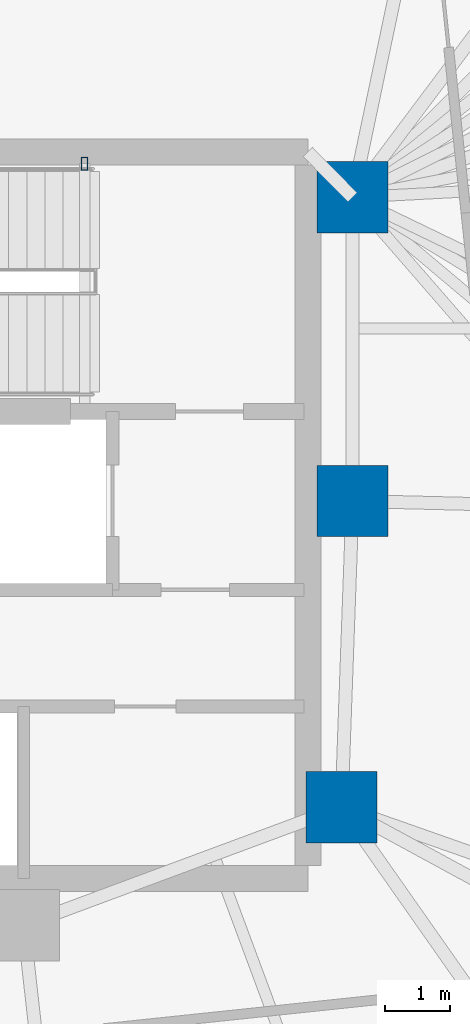
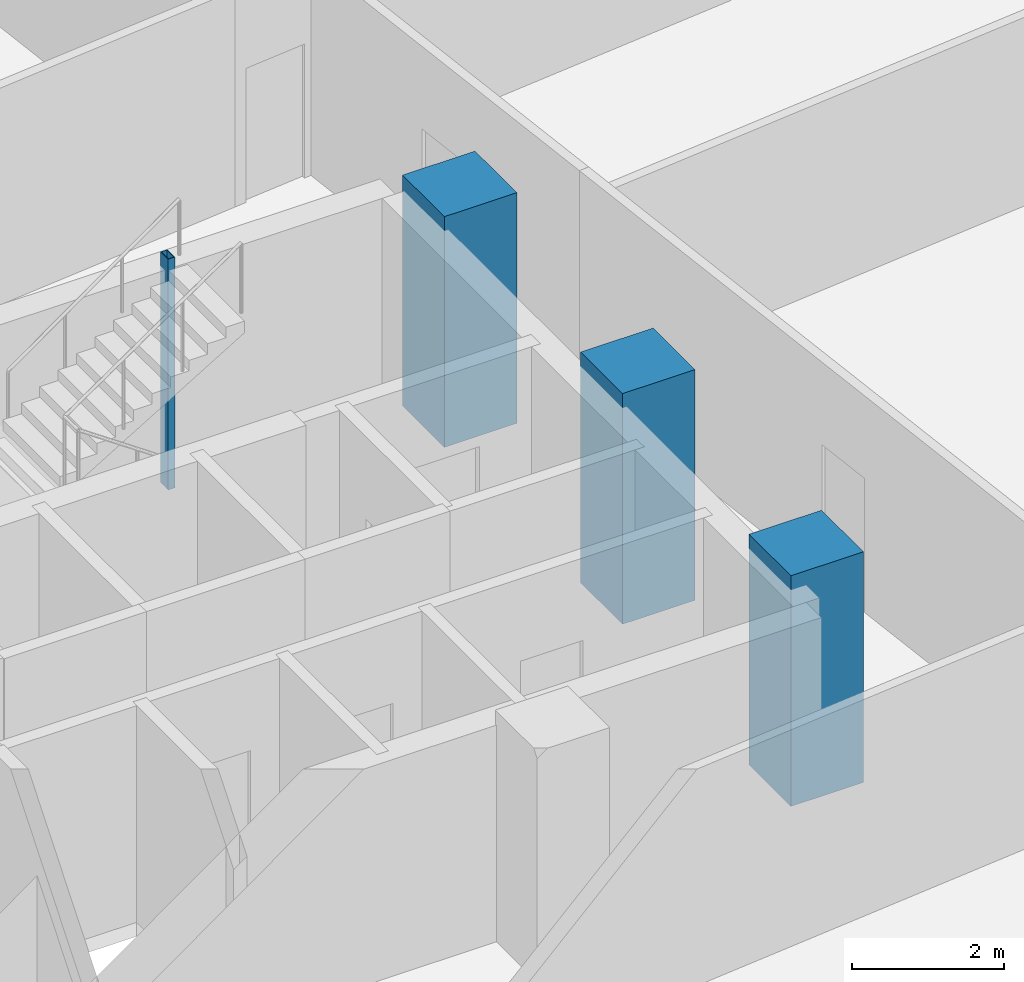
# One storey, part 4 of 18: 4 columns.
"""IFC4 building model written with IfcOpenShell, lengths in metres."""

from ifc_helpers import new_model, si_unit, direction, frame, origin, origin_2d, place, context, subcontext, project, spatial, rectangle, hollow_rectangle, extrude, material, material_profile, profile_set, type_object, element, save


model = new_model("IFC4")

# Units and contexts
model_context = context("Model", 3, precision=1e-05, world=origin(), true_north=direction((0.0, 1.0)))
body_context = subcontext(model_context, "Body", "Model", "MODEL_VIEW")
ifc_project = project(units=[si_unit("LENGTHUNIT", "METRE"), si_unit("AREAUNIT", "SQUARE_METRE"), si_unit("VOLUMEUNIT", "CUBIC_METRE"), si_unit("PLANEANGLEUNIT", "RADIAN"), si_unit("MASSUNIT", "GRAM", prefix="KILO")], contexts=[model_context])

# Site, building, storey
site_placement = place(None, origin())
site = spatial("IfcSite", under=ifc_project, at=site_placement, CompositionType="ELEMENT")
building_placement = place(site_placement, origin())
building = spatial("IfcBuilding", under=site, at=building_placement, Name="Menara Jurai Vektor", CompositionType="ELEMENT")
storey_placement = place(building_placement, frame((0.0, 0.0, 113.300048828125)))
storey = spatial("IfcBuildingStorey", under=building, at=storey_placement, Name="L28", CompositionType="ELEMENT", Elevation=113.300048828125)

# Columns
ifc_material_1 = material(Name="Concrete C50/60", Category="concrete")
ifc_material_profile_1 = material_profile(ifc_material_1, rectangle(XDim=1.10009765625, YDim=1.10009765625, at=origin_2d()), Name="RC 1100x1100")
ifc_profile_set_1 = profile_set([ifc_material_profile_1], Name="Concrete C50/60")
column_type_1 = type_object("IfcColumnType", Name="STR-COL-RC1100", PredefinedType="COLUMN", material=ifc_profile_set_1)
for number, where, z_axis, x_axis, name in (
    (1, (15.25, 4.89990234375, 0.0), (0.0, 0.0, 1.0), (1.0, 0.0, 0.0), "Core Spine Column CE-NE L28"),
    (2, (15.25, 0.219970703125, 0.0), (0.0, 0.0, 1.0), (1.0, 0.0, 0.0), "Core Spine Column CE-EM L28"),
    (3, (15.080078125, -4.5, 0.0), (0.0, 0.0, 1.0), (1.0, 0.0, 0.0), "Core Spine Column CE-SE L28"),
):
    element("IfcColumn", number, at=place(storey_placement, frame(where, z_axis=z_axis, x_axis=x_axis)), inside=storey, type_object=column_type_1, Name=name, PredefinedType="COLUMN", context=body_context, shape_type="SweptSolid", body=[
        extrude(rectangle(XDim=1.10009765625, YDim=1.10009765625, at=origin_2d()), origin(), (0.0, 0.0, 1.0), 3.699951171875),
    ])
ifc_material_2 = material(Name="Steel S355", Category="steel")
ifc_material_profile_2 = material_profile(ifc_material_2, hollow_rectangle(XDim=0.10009765625, YDim=0.199951171875, WallThickness=0.008056640625, at=origin_2d()), Name="RHS 200x100x8")
ifc_profile_set_2 = profile_set([ifc_material_profile_2], Name="Steel S355")
column_type_2 = type_object("IfcColumnType", Name="STR-COL-STAIR", PredefinedType="COLUMN", material=ifc_profile_set_2)
column_placement = place(storey_placement, frame((11.1201171875, 5.419921875, 0.0), z_axis=(0.0, 0.0, 1.0), x_axis=(1.0, 0.0, 0.0)))
element("IfcColumn", 4, at=column_placement, inside=storey, type_object=column_type_2, Name="Stair Well Header Column ST2-P2 L28", PredefinedType="COLUMN", context=body_context, shape_type="SweptSolid", body=[
    extrude(hollow_rectangle(XDim=0.10009765625, YDim=0.199951171875, WallThickness=0.008056640625, at=origin_2d()), origin(), (0.0, 0.0, 1.0), 3.699951171875),
])

save(model, "model.ifc")
